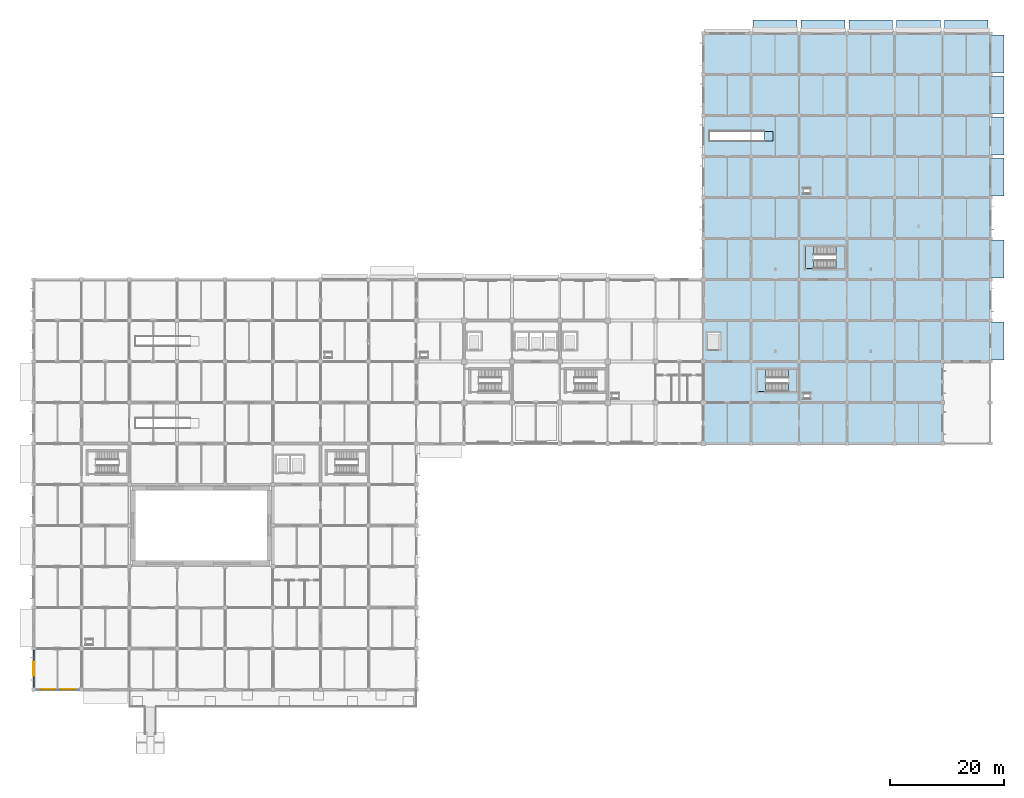
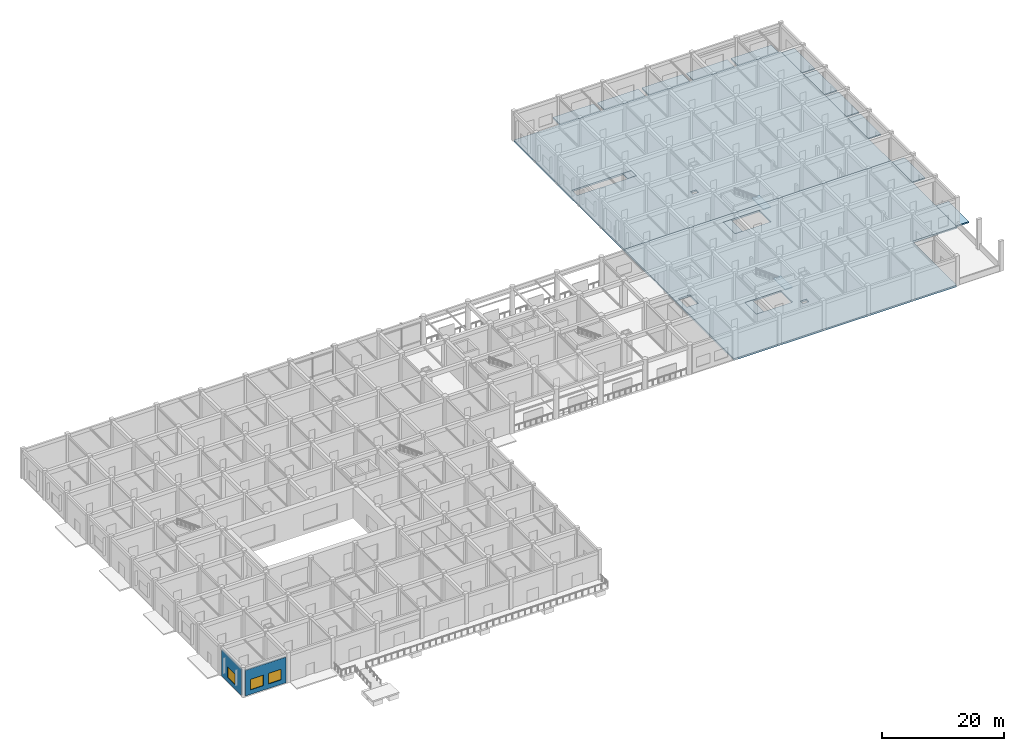
# One storey, part 11 of 39: 18 slabs, 3 windows, 2 walls, 3 openings, 2 elements without a shape of their own.
"""IFC4 building model written with IfcOpenShell, lengths in metres."""

from ifc_helpers import new_model, si_unit, derived_unit, direction, frame, frame_2d, origin, place, context, subcontext, project, spatial, polyline, rectangle, outline, extrude, material, layer, layer_set, type_object, element, fill, aggregate, save


model = new_model("IFC4")

# Units and contexts
model_context = context("Model", 3, precision=1e-05, world=origin(), true_north=direction((0.0, 1.0)))
body_context = subcontext(model_context, "Body", "Model", "MODEL_VIEW")
ifc_project = project(units=[si_unit("LENGTHUNIT", "METRE"), si_unit("AREAUNIT", "SQUARE_METRE"), si_unit("VOLUMEUNIT", "CUBIC_METRE"), si_unit("PLANEANGLEUNIT", "RADIAN"), si_unit("MASSUNIT", "GRAM", prefix="KILO"), derived_unit("THERMALTRANSMITTANCEUNIT", [(si_unit("MASSUNIT", "GRAM", prefix="KILO"), 1), (si_unit("TIMEUNIT", "SECOND"), -3), (si_unit("THERMODYNAMICTEMPERATUREUNIT", "KELVIN"), -1)])], contexts=[model_context])

# Site, building, storey
site_placement = place(None, origin())
site = spatial("IfcSite", under=ifc_project, at=site_placement, CompositionType="ELEMENT")
building_placement = place(site_placement, origin())
building = spatial("IfcBuilding", under=site, at=building_placement, Name="Veldstrom Oceanarium and Marine Research Institute", CompositionType="ELEMENT")
storey_placement = place(building_placement, origin())
storey = spatial("IfcBuildingStorey", under=building, at=storey_placement, Name="L00", CompositionType="ELEMENT", Elevation=0.0)

# Slabs
ifc_material_1 = material(Name="Concrete C40/50", Category="concrete")
ifc_layer_1 = layer(ifc_material_1, 0.25)
ifc_layer_set_1 = layer_set([ifc_layer_1], Name="STR-SLB-FL0250")
slab_type_1 = type_object("IfcSlabType", Name="STR-SLB-FL0250", PredefinedType="FLOOR", material=ifc_layer_set_1)
slab_1_placement = place(storey_placement, frame((0.0, 0.0, -0.25)))
element("IfcSlab", 1, at=slab_1_placement, inside=storey, type_object=slab_type_1, Name="Street Threshold Paving Apron G-L00-01", PredefinedType="FLOOR", context=body_context, shape_type="SweptSolid", body=[
    extrude(outline(polyline([(126.35009765625, 115.199951171875), (134.050048828125, 115.199951171875), (134.050048828125, 117.60009765625), (126.35009765625, 117.60009765625), (126.35009765625, 115.199951171875)])), origin(), (0.0, 0.0, 1.0), 0.25),
])
slab_2_placement = place(storey_placement, frame((0.0, 0.0, -0.25)))
element("IfcSlab", 2, at=slab_2_placement, inside=storey, type_object=slab_type_1, Name="Street Threshold Paving Apron G-L00-02", PredefinedType="FLOOR", context=body_context, shape_type="SweptSolid", body=[
    extrude(outline(polyline([(134.75, 115.199951171875), (142.449951171875, 115.199951171875), (142.449951171875, 117.60009765625), (134.75, 117.60009765625), (134.75, 115.199951171875)])), origin(), (0.0, 0.0, 1.0), 0.25),
])
slab_3_placement = place(storey_placement, frame((0.0, 0.0, -0.25)))
element("IfcSlab", 3, at=slab_3_placement, inside=storey, type_object=slab_type_1, Name="Street Threshold Paving Apron G-L00-03", PredefinedType="FLOOR", context=body_context, shape_type="SweptSolid", body=[
    extrude(outline(polyline([(143.14990234375, 115.199951171875), (150.85009765625, 115.199951171875), (150.85009765625, 117.60009765625), (143.14990234375, 117.60009765625), (143.14990234375, 115.199951171875)])), origin(), (0.0, 0.0, 1.0), 0.25),
])
slab_4_placement = place(storey_placement, frame((0.0, 0.0, -0.25)))
element("IfcSlab", 4, at=slab_4_placement, inside=storey, type_object=slab_type_1, Name="Street Threshold Paving Apron G-L00-04", PredefinedType="FLOOR", context=body_context, shape_type="SweptSolid", body=[
    extrude(outline(polyline([(151.550048828125, 115.199951171875), (159.25, 115.199951171875), (159.25, 117.60009765625), (151.550048828125, 117.60009765625), (151.550048828125, 115.199951171875)])), origin(), (0.0, 0.0, 1.0), 0.25),
])
slab_5_placement = place(storey_placement, frame((0.0, 0.0, -0.25)))
element("IfcSlab", 5, at=slab_5_placement, inside=storey, type_object=slab_type_1, Name="Street Threshold Paving Apron D-L00-014", PredefinedType="FLOOR", context=body_context, shape_type="SweptSolid", body=[
    extrude(outline(polyline([(168.0, 57.85009765625), (170.39990234375, 57.85009765625), (170.39990234375, 64.550048828125), (168.0, 64.550048828125), (168.0, 57.85009765625)])), origin(), (0.0, 0.0, 1.0), 0.25),
])
slab_6_placement = place(storey_placement, frame((0.0, 0.0, -0.25)))
element("IfcSlab", 6, at=slab_6_placement, inside=storey, type_object=slab_type_1, Name="Street Threshold Paving Apron D-L00-015", PredefinedType="FLOOR", context=body_context, shape_type="SweptSolid", body=[
    extrude(outline(polyline([(168.0, 72.25), (170.39990234375, 72.25), (170.39990234375, 78.949951171875), (168.0, 78.949951171875), (168.0, 72.25)])), origin(), (0.0, 0.0, 1.0), 0.25),
])
slab_7_placement = place(storey_placement, frame((0.0, 0.0, -0.25)))
element("IfcSlab", 7, at=slab_7_placement, inside=storey, type_object=slab_type_1, Name="Street Threshold Paving Apron G-L00-05", PredefinedType="FLOOR", context=body_context, shape_type="SweptSolid", body=[
    extrude(outline(polyline([(168.0, 86.64990234375), (170.39990234375, 86.64990234375), (170.39990234375, 93.35009765625), (168.0, 93.35009765625), (168.0, 86.64990234375)])), origin(), (0.0, 0.0, 1.0), 0.25),
])
slab_8_placement = place(storey_placement, frame((0.0, 0.0, -0.25)))
element("IfcSlab", 8, at=slab_8_placement, inside=storey, type_object=slab_type_1, Name="Street Threshold Paving Apron G-L00-06", PredefinedType="FLOOR", context=body_context, shape_type="SweptSolid", body=[
    extrude(outline(polyline([(168.0, 93.85009765625), (170.39990234375, 93.85009765625), (170.39990234375, 100.550048828125), (168.0, 100.550048828125), (168.0, 93.85009765625)])), origin(), (0.0, 0.0, 1.0), 0.25),
])
slab_9_placement = place(storey_placement, frame((0.0, 0.0, -0.25)))
element("IfcSlab", 9, at=slab_9_placement, inside=storey, type_object=slab_type_1, Name="Street Threshold Paving Apron G-L00-07", PredefinedType="FLOOR", context=body_context, shape_type="SweptSolid", body=[
    extrude(outline(polyline([(168.0, 101.050048828125), (170.39990234375, 101.050048828125), (170.39990234375, 107.75), (168.0, 107.75), (168.0, 101.050048828125)])), origin(), (0.0, 0.0, 1.0), 0.25),
])
slab_10_placement = place(storey_placement, frame((0.0, 0.0, -0.25)))
element("IfcSlab", 10, at=slab_10_placement, inside=storey, type_object=slab_type_1, Name="Street Threshold Paving Apron G-L00-08", PredefinedType="FLOOR", context=body_context, shape_type="SweptSolid", body=[
    extrude(outline(polyline([(159.949951171875, 115.199951171875), (167.60009765625, 115.199951171875), (167.60009765625, 117.60009765625), (159.949951171875, 117.60009765625), (159.949951171875, 115.199951171875)])), origin(), (0.0, 0.0, 1.0), 0.25),
])
slab_11_placement = place(storey_placement, frame((0.0, 0.0, -0.25)))
element("IfcSlab", 11, at=slab_11_placement, inside=storey, type_object=slab_type_1, Name="Street Threshold Paving Apron G-L00-09", PredefinedType="FLOOR", context=body_context, shape_type="SweptSolid", body=[
    extrude(outline(polyline([(168.0, 108.25), (170.39990234375, 108.25), (170.39990234375, 114.949951171875), (168.0, 114.949951171875), (168.0, 108.25)])), origin(), (0.0, 0.0, 1.0), 0.25),
])
ifc_material_2 = material(Name="Concrete C40/50", Category="concrete")
ifc_layer_2 = layer(ifc_material_2, 0.35009765625)
ifc_layer_set_2 = layer_set([ifc_layer_2], Name="STR-SLB-FL0350")
slab_type_2 = type_object("IfcSlabType", Name="STR-SLB-FL0350", PredefinedType="FLOOR", material=ifc_layer_set_2)
slab_12_placement = place(storey_placement, frame((0.0, 0.0, -0.35009765625)))
element("IfcSlab", 12, at=slab_12_placement, inside=storey, type_object=slab_type_2, Name="Slab SF-350 L00 ES", PredefinedType="FLOOR", context=body_context, shape_type="SweptSolid", body=[
    extrude(outline(polyline([(117.60009765625, 43.199951171875), (117.60009765625, 50.39990234375), (117.60009765625, 57.60009765625), (117.60009765625, 64.800048828125), (117.60009765625, 72.0), (117.60009765625, 79.199951171875), (126.0, 79.199951171875), (134.39990234375, 79.199951171875), (142.800048828125, 79.199951171875), (151.199951171875, 79.199951171875), (159.60009765625, 79.199951171875), (168.0, 79.199951171875), (168.0, 72.0), (168.0, 64.800048828125), (168.0, 57.60009765625), (159.60009765625, 57.60009765625), (159.60009765625, 50.39990234375), (159.60009765625, 43.199951171875), (151.199951171875, 43.199951171875), (142.800048828125, 43.199951171875), (134.39990234375, 43.199951171875), (126.0, 43.199951171875), (117.60009765625, 43.199951171875)]), holes=[polyline([(127.1201171875, 52.39990234375), (133.9599609375, 52.39990234375), (133.9599609375, 56.199951171875), (127.1201171875, 56.199951171875), (127.1201171875, 52.39990234375)]), polyline([(142.360107421875, 77.800048828125), (135.52001953125, 77.800048828125), (135.52001953125, 74.0), (142.360107421875, 74.0), (142.360107421875, 77.800048828125)]), polyline([(118.300048828125, 62.60009765625), (118.300048828125, 59.800048828125), (120.449951171875, 59.800048828125), (120.449951171875, 62.60009765625), (118.300048828125, 62.60009765625)]), polyline([(136.300048828125, 52.0), (135.199951171875, 52.0), (135.199951171875, 51.199951171875), (136.300048828125, 51.199951171875), (136.300048828125, 52.0)])]), origin(), (0.0, 0.0, 1.0), 0.35009765625),
])
slab_13_placement = place(storey_placement, frame((0.0, 0.0, -0.35009765625)))
element("IfcSlab", 13, at=slab_13_placement, inside=storey, type_object=slab_type_2, Name="Slab SF-350 L00 EN", PredefinedType="FLOOR", context=body_context, shape_type="SweptSolid", body=[
    extrude(outline(polyline([(117.60009765625, 79.199951171875), (117.60009765625, 86.39990234375), (117.60009765625, 93.60009765625), (117.60009765625, 100.800048828125), (117.60009765625, 108.0), (117.60009765625, 115.199951171875), (126.0, 115.199951171875), (134.39990234375, 115.199951171875), (142.800048828125, 115.199951171875), (151.199951171875, 115.199951171875), (159.60009765625, 115.199951171875), (168.0, 115.199951171875), (168.0, 108.0), (168.0, 100.800048828125), (168.0, 93.60009765625), (168.0, 86.39990234375), (168.0, 79.199951171875), (159.60009765625, 79.199951171875), (151.199951171875, 79.199951171875), (142.800048828125, 79.199951171875), (134.39990234375, 79.199951171875), (126.0, 79.199951171875), (117.60009765625, 79.199951171875)]), holes=[polyline([(118.679931640625, 98.054931640625), (118.679931640625, 96.344970703125), (129.840087890625, 96.344970703125), (129.840087890625, 98.054931640625), (118.679931640625, 98.054931640625)]), polyline([(136.300048828125, 88.0), (135.199951171875, 88.0), (135.199951171875, 87.199951171875), (136.300048828125, 87.199951171875), (136.300048828125, 88.0)])]), origin(), (0.0, 0.0, 1.0), 0.35009765625),
])

# Stair, slab
ifc_material_3 = material(Name="Concrete C40/50", Category="concrete")
stair_type = type_object("IfcStairType", Name="ARC-STR-ST-600", PredefinedType="TWO_STRAIGHT_RUN_STAIR", material=ifc_material_3)
stair_1_placement = place(storey_placement, origin())
stair_1 = element("IfcStair", 14, at=stair_1_placement, inside=storey, type_object=stair_type, Name="Dog-Leg Escape Stair ST4-L00", PredefinedType="TWO_STRAIGHT_RUN_STAIR")
ifc_material_4 = material(Name="Concrete C40/50", Category="concrete")
ifc_layer_3 = layer(ifc_material_4, 0.179931640625)
ifc_layer_set_3 = layer_set([ifc_layer_3], Name="STR-SLB-LD180")
slab_type_3 = type_object("IfcSlabType", Name="STR-SLB-LD180", PredefinedType="LANDING", material=ifc_layer_set_3)
slab_14_placement = place(storey_placement, frame((0.0, 0.0, 2.820068359375)))
slab_14 = element("IfcSlab", 15, at=slab_14_placement, type_object=slab_type_3, Name="Stair Half-Landing ST4 L00", PredefinedType="LANDING", context=body_context, shape_type="SweptSolid", body=[
    extrude(outline(polyline([(132.5400390625, 52.39990234375), (133.9599609375, 52.39990234375), (133.9599609375, 56.199951171875), (132.5400390625, 56.199951171875), (132.5400390625, 52.39990234375)])), origin(), (0.0, 0.0, 1.0), 0.179931640625),
])
aggregate(stair_1, [slab_14])

stair_2_placement = place(storey_placement, origin())
stair_2 = element("IfcStair", 16, at=stair_2_placement, inside=storey, type_object=stair_type, Name="Dog-Leg Escape Stair ST7-L00", PredefinedType="TWO_STRAIGHT_RUN_STAIR")
slab_15_placement = place(storey_placement, frame((0.0, 0.0, 2.820068359375)))
slab_15 = element("IfcSlab", 17, at=slab_15_placement, type_object=slab_type_3, Name="Stair Half-Landing ST7 L00", PredefinedType="LANDING", context=body_context, shape_type="SweptSolid", body=[
    extrude(outline(polyline([(140.93994140625, 74.0), (142.360107421875, 74.0), (142.360107421875, 77.800048828125), (140.93994140625, 77.800048828125), (140.93994140625, 74.0)])), origin(), (0.0, 0.0, 1.0), 0.179931640625),
])
aggregate(stair_2, [slab_15])

# Slabs
ifc_material_5 = material(Name="Concrete C40/50", Category="concrete")
ifc_layer_4 = layer(ifc_material_5, 0.199951171875)
ifc_layer_set_4 = layer_set([ifc_layer_4], Name="STR-SLB-LD200")
slab_type_4 = type_object("IfcSlabType", Name="STR-SLB-LD200", PredefinedType="LANDING", material=ifc_layer_set_4)
slab_16_placement = place(storey_placement, frame((0.0, 0.0, -0.199951171875)))
element("IfcSlab", 18, at=slab_16_placement, inside=storey, type_object=slab_type_4, Name="Stair Floor Landing ST4 L00", PredefinedType="LANDING", context=body_context, shape_type="SweptSolid", body=[
    extrude(outline(polyline([(127.1201171875, 52.39990234375), (128.5400390625, 52.39990234375), (128.5400390625, 56.199951171875), (127.1201171875, 56.199951171875), (127.1201171875, 52.39990234375)])), origin(), (0.0, 0.0, 1.0), 0.199951171875),
])
slab_17_placement = place(storey_placement, frame((0.0, 0.0, -0.199951171875)))
element("IfcSlab", 19, at=slab_17_placement, inside=storey, type_object=slab_type_4, Name="Stair Floor Landing ST7 L00", PredefinedType="LANDING", context=body_context, shape_type="SweptSolid", body=[
    extrude(outline(polyline([(135.52001953125, 74.0), (136.93994140625, 74.0), (136.93994140625, 77.800048828125), (135.52001953125, 77.800048828125), (135.52001953125, 74.0)])), origin(), (0.0, 0.0, 1.0), 0.199951171875),
])
slab_18_placement = place(storey_placement, frame((0.0, 0.0, -0.199951171875)))
element("IfcSlab", 20, at=slab_18_placement, inside=storey, type_object=slab_type_4, Name="Gallery Straight Stair Arrival Landing ST5-06", PredefinedType="LANDING", context=body_context, shape_type="SweptSolid", body=[
    extrude(outline(polyline([(128.239990234375, 96.364990234375), (129.840087890625, 96.364990234375), (129.840087890625, 98.034912109375), (128.239990234375, 98.034912109375), (128.239990234375, 96.364990234375)])), origin(), (0.0, 0.0, 1.0), 0.199951171875),
])

# Wall, openings, windows
ifc_material_6 = material(Name="Masonry Cavity Wall", Category="masonry")
ifc_layer_5 = layer(ifc_material_6, 0.25)
ifc_layer_set_5 = layer_set([ifc_layer_5], Name="ARC-WAL-EW5")
wall_type_1 = type_object("IfcWallType", Name="ARC-WAL-EW5", PredefinedType="SOLIDWALL", material=ifc_layer_set_5)
wall_1_placement = place(storey_placement, frame((0.375, 0.0, 0.0), z_axis=(0.0, 0.0, 1.0), x_axis=(1.0, 0.0, 0.0)))
wall_1 = element("IfcWall", 21, at=wall_1_placement, inside=storey, type_object=wall_type_1, Name="Exterior Facade Wall EW5 L00-001", PredefinedType="SOLIDWALL", context=body_context, shape_type="SweptSolid", body=[
    extrude(rectangle(XDim=7.675048828125, YDim=0.25, at=frame_2d((3.83740234375, 0.0))), origin(), (0.0, 0.0, 1.0), 5.1201171875),
])
opening_1_placement = place(wall_1_placement, frame((0.958251953125, 0.0, 0.89990234375)))
opening_1 = element("IfcOpeningElement", 22, at=opening_1_placement, cuts=wall_1, Name="Opening W09", PredefinedType="OPENING", context=body_context, shape_type="SweptSolid", body=[
    extrude(rectangle(XDim=2.39990234375, YDim=2.10009765625, at=frame_2d((1.199951171875, 1.050048828125))), frame((0.0, 0.135009765625, 0.0), z_axis=(0.0, -1.0, 0.0), x_axis=(1.0, 0.0, 0.0)), (0.0, 0.0, 1.0), 0.27001953125),
])
opening_2_placement = place(wall_1_placement, frame((4.316650390625, 0.0, 0.89990234375)))
opening_2 = element("IfcOpeningElement", 23, at=opening_2_placement, cuts=wall_1, Name="Opening W09", PredefinedType="OPENING", context=body_context, shape_type="SweptSolid", body=[
    extrude(rectangle(XDim=2.39990234375, YDim=2.10009765625, at=frame_2d((1.199951171875, 1.050048828125))), frame((0.0, 0.135009765625, 0.0), z_axis=(0.0, -1.0, 0.0), x_axis=(1.0, 0.0, 0.0)), (0.0, 0.0, 1.0), 0.27001953125),
])
ifc_material_7 = material(Name="Double Glazed Low-E IGU", Category="glass")
window_type = type_object("IfcWindowType", Name="ARC-WIN-W09", PartitioningType="SINGLE_PANEL", PredefinedType="WINDOW", material=ifc_material_7)
window_1_placement = place(opening_1_placement, origin())
window_1 = element("IfcWindow", 24, at=window_1_placement, inside=storey, type_object=window_type, Name="Facade Window W09 L00-0001", OverallHeight=2.10009765625, OverallWidth=2.39990234375, PartitioningType="SINGLE_PANEL", PredefinedType="WINDOW", context=body_context, shape_type="SweptSolid", body=[
    extrude(rectangle(XDim=2.39990234375, YDim=2.10009765625, at=frame_2d((1.199951171875, 1.050048828125))), frame((0.0, 0.030029296875, 0.0), z_axis=(0.0, -1.0, 0.0), x_axis=(1.0, 0.0, 0.0)), (0.0, 0.0, 1.0), 0.06005859375),
])
fill(opening_1, window_1)
window_2_placement = place(opening_2_placement, origin())
window_2 = element("IfcWindow", 25, at=window_2_placement, inside=storey, type_object=window_type, Name="Facade Window W09 L00-0002", OverallHeight=2.10009765625, OverallWidth=2.39990234375, PartitioningType="SINGLE_PANEL", PredefinedType="WINDOW", context=body_context, shape_type="SweptSolid", body=[
    extrude(rectangle(XDim=2.39990234375, YDim=2.10009765625, at=frame_2d((1.199951171875, 1.050048828125))), frame((0.0, 0.030029296875, 0.0), z_axis=(0.0, -1.0, 0.0), x_axis=(1.0, 0.0, 0.0)), (0.0, 0.0, 1.0), 0.06005859375),
])
fill(opening_2, window_2)

# Wall, opening, window
ifc_material_8 = material(Name="Masonry Cavity Wall", Category="masonry")
ifc_layer_6 = layer(ifc_material_8, 0.215087890625)
ifc_layer_set_6 = layer_set([ifc_layer_6], Name="ARC-WAL-EW6")
wall_type_2 = type_object("IfcWallType", Name="ARC-WAL-EW6", PredefinedType="SOLIDWALL", material=ifc_layer_set_6)
wall_2_placement = place(storey_placement, frame((0.0, 0.375, 0.0), z_axis=(0.0, 0.0, 1.0), x_axis=(0.0, 1.0, 0.0)))
wall_2 = element("IfcWall", 26, at=wall_2_placement, inside=storey, type_object=wall_type_2, Name="Exterior Facade Wall EW6 L00-002", PredefinedType="SOLIDWALL", context=body_context, shape_type="SweptSolid", body=[
    extrude(rectangle(XDim=6.574951171875, YDim=0.215087890625, at=frame_2d((3.28759765625, 0.0))), origin(), (0.0, 0.0, 1.0), 5.1201171875),
])
opening_3_placement = place(wall_2_placement, frame((2.08740234375, 0.0, 0.89990234375)))
opening_3 = element("IfcOpeningElement", 27, at=opening_3_placement, cuts=wall_2, Name="Opening W09", PredefinedType="OPENING", context=body_context, shape_type="SweptSolid", body=[
    extrude(rectangle(XDim=2.39990234375, YDim=2.10009765625, at=frame_2d((1.199951171875, 1.050048828125))), frame((0.0, 0.117431640625, 0.0), z_axis=(0.0, -1.0, 0.0), x_axis=(1.0, 0.0, 0.0)), (0.0, 0.0, 1.0), 0.235107421875),
])
window_3_placement = place(opening_3_placement, origin())
window_3 = element("IfcWindow", 28, at=window_3_placement, inside=storey, type_object=window_type, Name="Facade Window W09 L00-0003", OverallHeight=2.10009765625, OverallWidth=2.39990234375, PartitioningType="SINGLE_PANEL", PredefinedType="WINDOW", context=body_context, shape_type="SweptSolid", body=[
    extrude(rectangle(XDim=2.39990234375, YDim=2.10009765625, at=frame_2d((1.199951171875, 1.050048828125))), frame((0.0, 0.030029296875, 0.0), z_axis=(0.0, -1.0, 0.0), x_axis=(1.0, 0.0, 0.0)), (0.0, 0.0, 1.0), 0.06005859375),
])
fill(opening_3, window_3)

save(model, "model.ifc")
